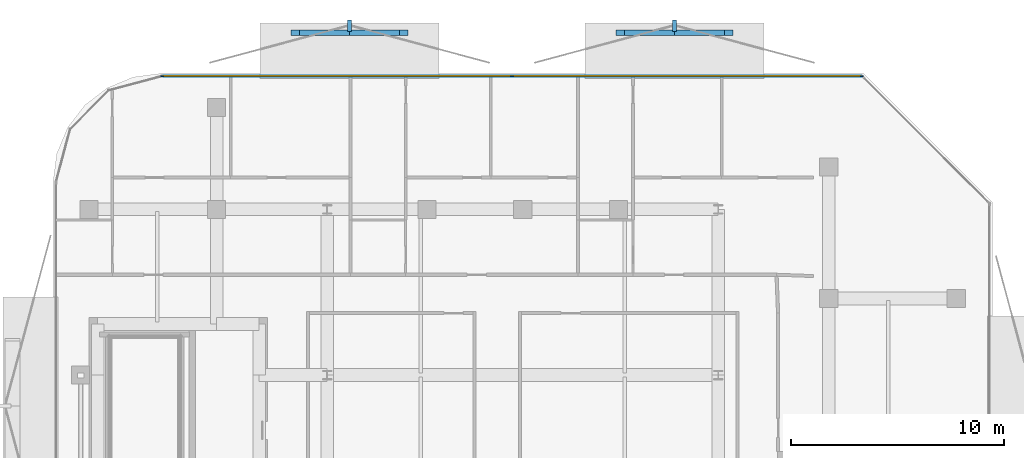
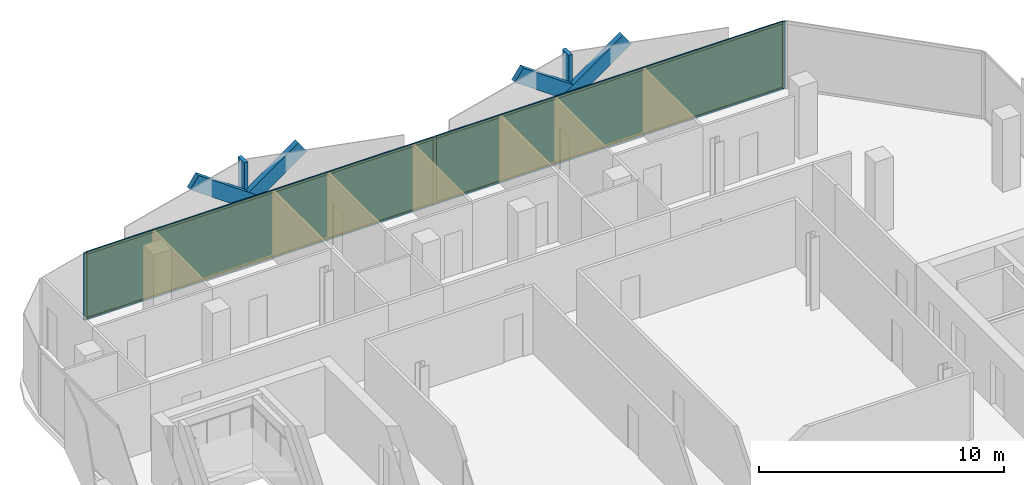
# One storey, part 11 of 16: 13 members, 2 plates, 1 curtain wall.
"""IFC4 building model written with IfcOpenShell, lengths in metres."""

from ifc_helpers import new_model, si_unit, direction, frame, frame_2d, origin, origin_2d, place, context, subcontext, project, spatial, rectangle, extrude, material, layer, layer_set, material_profile, profile_set, type_object, element, aggregate, save


model = new_model("IFC4")

# Units and contexts
model_context = context("Model", 3, precision=1e-05, world=origin(), true_north=direction((0.0, 1.0)))
body_context = subcontext(model_context, "Body", "Model", "MODEL_VIEW")
ifc_project = project(units=[si_unit("LENGTHUNIT", "METRE"), si_unit("AREAUNIT", "SQUARE_METRE"), si_unit("VOLUMEUNIT", "CUBIC_METRE"), si_unit("PLANEANGLEUNIT", "RADIAN"), si_unit("MASSUNIT", "GRAM", prefix="KILO")], contexts=[model_context])

# Member
ifc_material_1 = material(Name="Anodised Bronze Aluminium 6063-T6", Category="aluminium")
ifc_material_profile_1 = material_profile(ifc_material_1, rectangle(XDim=0.260009765625, YDim=0.699951171875, at=origin_2d()))
ifc_profile_set_1 = profile_set([ifc_material_profile_1], Name="Anodised Bronze Aluminium 6063-T6")
member_type_1 = type_object("IfcMemberType", Name="Bronze Diamond Solar-Screen Lattice Rib BDL-700", PredefinedType="MULLION", material=ifc_profile_set_1)
site_placement = place(None, origin())
building_placement = place(site_placement, origin())
storey_placement = place(building_placement, frame((0.0, 0.0, 247.60009765625)))
member_1_placement = place(storey_placement, frame((-10.6953125, 26.89990234375, -0.130126953125), z_axis=(0.816718355951, 0.0, 0.57703650409), x_axis=(0.0, 1.0, 0.0)))
member_1 = element("IfcMember", 1, at=member_1_placement, type_object=member_type_1, Name="L58 Bronze Diamond Solar Screen Lattice Rib 397A", PredefinedType="MULLION", context=body_context, shape_type="SweptSolid", body=[
    extrude(rectangle(XDim=0.260009765625, YDim=0.699951171875, at=origin_2d()), origin(), (0.0, 0.0, 1.0), 6.239013671875),
])

member_2_placement = place(storey_placement, frame((-5.599853515625, 26.89990234375, -0.130126953125), z_axis=(-0.816718355951, 0.0, 0.57703650409), x_axis=(0.0, -1.0, 0.0)))
member_2 = element("IfcMember", 2, at=member_2_placement, type_object=member_type_1, Name="L58 Bronze Diamond Solar Screen Lattice Rib 397B", PredefinedType="MULLION", context=body_context, shape_type="SweptSolid", body=[
    extrude(rectangle(XDim=0.260009765625, YDim=0.699951171875, at=origin_2d()), origin(), (0.0, 0.0, 1.0), 6.239013671875),
])

member_3_placement = place(storey_placement, frame((4.591064453125, 26.89990234375, -0.130126953125), z_axis=(0.816718355951, 0.0, 0.57703650409), x_axis=(0.0, 1.0, 0.0)))
member_3 = element("IfcMember", 3, at=member_3_placement, type_object=member_type_1, Name="L58 Bronze Diamond Solar Screen Lattice Rib 398A", PredefinedType="MULLION", context=body_context, shape_type="SweptSolid", body=[
    extrude(rectangle(XDim=0.260009765625, YDim=0.699951171875, at=origin_2d()), origin(), (0.0, 0.0, 1.0), 6.239013671875),
])

member_4_placement = place(storey_placement, frame((9.6865234375, 26.89990234375, -0.130126953125), z_axis=(-0.816718355951, 0.0, 0.57703650409), x_axis=(0.0, -1.0, 0.0)))
member_4 = element("IfcMember", 4, at=member_4_placement, type_object=member_type_1, Name="L58 Bronze Diamond Solar Screen Lattice Rib 398B", PredefinedType="MULLION", context=body_context, shape_type="SweptSolid", body=[
    extrude(rectangle(XDim=0.260009765625, YDim=0.699951171875, at=origin_2d()), origin(), (0.0, 0.0, 1.0), 6.239013671875),
])

ifc_material_2 = material(Name="Anodised Bronze Aluminium 6063-T6", Category="aluminium")
ifc_material_profile_2 = material_profile(ifc_material_2, rectangle(XDim=0.179931640625, YDim=0.5400390625, at=origin_2d()))
ifc_profile_set_2 = profile_set([ifc_material_profile_2], Name="Anodised Bronze Aluminium 6063-T6")
member_type_2 = type_object("IfcMemberType", Name="Bronze Solar-Screen Vertical Fold Fin BSF-540", PredefinedType="MULLION", material=ifc_profile_set_2)
member_5_placement = place(storey_placement, frame((-8.147705078125, 27.239990234375, -0.130126953125), z_axis=(0.0, 0.0, 1.0), x_axis=(1.0, 0.0, 0.0)))
member_5 = element("IfcMember", 5, at=member_5_placement, type_object=member_type_2, Name="L58 Bronze Solar Screen Vertical Fin 397", PredefinedType="MULLION", context=body_context, shape_type="SweptSolid", body=[
    extrude(rectangle(XDim=0.179931640625, YDim=0.5400390625, at=origin_2d()), origin(), (0.0, 0.0, 1.0), 3.60009765625),
])

member_6_placement = place(storey_placement, frame((7.138916015625, 27.239990234375, -0.130126953125), z_axis=(0.0, 0.0, 1.0), x_axis=(1.0, 0.0, 0.0)))
member_6 = element("IfcMember", 6, at=member_6_placement, type_object=member_type_2, Name="L58 Bronze Solar Screen Vertical Fin 398", PredefinedType="MULLION", context=body_context, shape_type="SweptSolid", body=[
    extrude(rectangle(XDim=0.179931640625, YDim=0.5400390625, at=origin_2d()), origin(), (0.0, 0.0, 1.0), 3.60009765625),
])

ifc_material_3 = material(Name="Anodised Bronze Aluminium 6063-T6", Category="aluminium")
ifc_material_profile_3 = material_profile(ifc_material_3, rectangle(XDim=0.06005859375, YDim=0.159912109375, at=origin_2d()))
ifc_profile_set_3 = profile_set([ifc_material_profile_3], Name="Anodised Bronze Aluminium 6063-T6")
member_type_3 = type_object("IfcMemberType", Name="CW-Z4 Mullion 60x160", PredefinedType="MULLION", material=ifc_profile_set_3)
member_7_placement = place(storey_placement, frame((-16.960693359375, 24.860107421875, 0.0), z_axis=(0.0, 0.0, 1.0), x_axis=(0.0, 1.0, 0.0)))
member_7 = element("IfcMember", 7, at=member_7_placement, type_object=member_type_3, Name="CW-Z4 mullion 1", PredefinedType="MULLION", context=body_context, shape_type="SweptSolid", body=[
    extrude(rectangle(XDim=0.06005859375, YDim=0.159912109375, at=origin_2d()), origin(), (0.0, 0.0, 1.0), 3.33984375),
])

member_8_placement = place(storey_placement, frame((-0.50439453125, 24.860107421875, 0.0), z_axis=(0.0, 0.0, 1.0), x_axis=(0.0, 1.0, 0.0)))
member_8 = element("IfcMember", 8, at=member_8_placement, type_object=member_type_3, Name="CW-Z4 mullion 2", PredefinedType="MULLION", context=body_context, shape_type="SweptSolid", body=[
    extrude(rectangle(XDim=0.06005859375, YDim=0.159912109375, at=origin_2d()), origin(), (0.0, 0.0, 1.0), 3.33984375),
])

member_9_placement = place(storey_placement, frame((15.951904296875, 24.860107421875, 0.0), z_axis=(0.0, 0.0, 1.0), x_axis=(0.0, 1.0, 0.0)))
member_9 = element("IfcMember", 9, at=member_9_placement, type_object=member_type_3, Name="CW-Z4 mullion 3", PredefinedType="MULLION", context=body_context, shape_type="SweptSolid", body=[
    extrude(rectangle(XDim=0.06005859375, YDim=0.159912109375, at=origin_2d()), origin(), (0.0, 0.0, 1.0), 3.33984375),
])

ifc_material_4 = material(Name="Anodised Bronze Aluminium 6063-T6", Category="aluminium")
ifc_material_profile_4 = material_profile(ifc_material_4, rectangle(XDim=0.06005859375, YDim=0.125, at=origin_2d()))
ifc_profile_set_4 = profile_set([ifc_material_profile_4], Name="Anodised Bronze Aluminium 6063-T6")
member_type_4 = type_object("IfcMemberType", Name="CW-Z4 Transom 60x125", PredefinedType="USERDEFINED", material=ifc_profile_set_4)
member_10_placement = place(storey_placement, frame((-16.930908203125, 24.860107421875, 0.02978515625), z_axis=(1.0, 0.0, 0.0), x_axis=(0.0, 1.0, 0.0)))
member_10 = element("IfcMember", 10, at=member_10_placement, type_object=member_type_4, Name="CW-Z4 transom 1.1", ObjectType="TRANSOM", PredefinedType="USERDEFINED", context=body_context, shape_type="SweptSolid", body=[
    extrude(rectangle(XDim=0.06005859375, YDim=0.125, at=origin_2d()), origin(), (0.0, 0.0, 1.0), 16.396484375),
])

member_11_placement = place(storey_placement, frame((-16.930908203125, 24.860107421875, 3.309814453125), z_axis=(1.0, 0.0, 0.0), x_axis=(0.0, 1.0, 0.0)))
member_11 = element("IfcMember", 11, at=member_11_placement, type_object=member_type_4, Name="CW-Z4 transom 1.2", ObjectType="TRANSOM", PredefinedType="USERDEFINED", context=body_context, shape_type="SweptSolid", body=[
    extrude(rectangle(XDim=0.06005859375, YDim=0.125, at=origin_2d()), origin(), (0.0, 0.0, 1.0), 16.396484375),
])

member_12_placement = place(storey_placement, frame((-0.474365234375, 24.860107421875, 0.02978515625), z_axis=(1.0, 0.0, 0.0), x_axis=(0.0, 1.0, 0.0)))
member_12 = element("IfcMember", 12, at=member_12_placement, type_object=member_type_4, Name="CW-Z4 transom 2.1", ObjectType="TRANSOM", PredefinedType="USERDEFINED", context=body_context, shape_type="SweptSolid", body=[
    extrude(rectangle(XDim=0.06005859375, YDim=0.125, at=origin_2d()), origin(), (0.0, 0.0, 1.0), 16.396484375),
])

member_13_placement = place(storey_placement, frame((-0.474365234375, 24.860107421875, 3.309814453125), z_axis=(1.0, 0.0, 0.0), x_axis=(0.0, 1.0, 0.0)))
member_13 = element("IfcMember", 13, at=member_13_placement, type_object=member_type_4, Name="CW-Z4 transom 2.2", ObjectType="TRANSOM", PredefinedType="USERDEFINED", context=body_context, shape_type="SweptSolid", body=[
    extrude(rectangle(XDim=0.06005859375, YDim=0.125, at=origin_2d()), origin(), (0.0, 0.0, 1.0), 16.396484375),
])

# Plate
ifc_material_5 = material(Name="Low-E Solar Control Laminated Glass", Category="glass")
ifc_layer_1 = layer(ifc_material_5, 0.030029296875, Name="Low-E Solar Control Laminated Glass")
ifc_layer_set_1 = layer_set([ifc_layer_1], Name="Low-E Solar Control Laminated Glass")
plate_type = type_object("IfcPlateType", Name="CW-Z4 Low-E Double Glazed Panel 30mm", PredefinedType="CURTAIN_PANEL", material=ifc_layer_set_1)
plate_1_placement = place(storey_placement, frame((-8.732666015625, 24.860107421875, 0.06005859375), z_axis=(0.0, 0.0, 1.0), x_axis=(1.0, 0.0, 0.0)))
plate_1 = element("IfcPlate", 14, at=plate_1_placement, type_object=plate_type, Name="CW-Z4 panel 1.1", PredefinedType="CURTAIN_PANEL", context=body_context, shape_type="SweptSolid", body=[
    extrude(rectangle(XDim=16.396484375, YDim=0.030029296875, at=origin_2d()), origin(), (0.0, 0.0, 1.0), 3.219970703125),
])

plate_2_placement = place(storey_placement, frame((7.723876953125, 24.860107421875, 0.06005859375), z_axis=(0.0, 0.0, 1.0), x_axis=(1.0, 0.0, 0.0)))
plate_2 = element("IfcPlate", 15, at=plate_2_placement, type_object=plate_type, Name="CW-Z4 panel 2.1", PredefinedType="CURTAIN_PANEL", context=body_context, shape_type="SweptSolid", body=[
    extrude(rectangle(XDim=16.396484375, YDim=0.030029296875, at=origin_2d()), origin(), (0.0, 0.0, 1.0), 3.219970703125),
])

# Site, building, storey
site = spatial("IfcSite", under=ifc_project, at=site_placement, CompositionType="ELEMENT")
building = spatial("IfcBuilding", under=site, at=building_placement, Name="Khairoan Windgate Tower", CompositionType="ELEMENT")
storey = spatial("IfcBuildingStorey", under=building, at=storey_placement, Name="L58", CompositionType="ELEMENT", Elevation=247.60009765625)

# Curtain wall
ifc_material_6 = material(Name="Anodised Bronze Aluminium 6063-T6", Category="aluminium")
ifc_layer_2 = layer(ifc_material_6, 0.159912109375, Name="Anodised Bronze Aluminium 6063-T6")
ifc_layer_set_2 = layer_set([ifc_layer_2], Name="Anodised Bronze Aluminium 6063-T6")
curtain_wall_type = type_object("IfcCurtainWallType", Name="Sky Residence Unitised Curtain Wall CW-Z4", PredefinedType="NOTDEFINED", material=ifc_layer_set_2)
curtain_wall_placement = place(storey_placement, frame((-16.99072265625, 24.860107421875, 0.0), z_axis=(0.0, 0.0, 1.0), x_axis=(1.0, 0.0, 0.0)))
curtain_wall = element("IfcCurtainWall", 16, at=curtain_wall_placement, inside=storey, type_object=curtain_wall_type, Name="L58 Unitised Curtain Wall 9", PredefinedType="NOTDEFINED", context=body_context, shape_type="SweptSolid", body=[
    extrude(rectangle(XDim=32.97265625, YDim=0.010009765625, at=frame_2d((16.486328125, 0.0))), origin(), (0.0, 0.0, 1.0), 3.33984375),
])

aggregate(curtain_wall, [member_7, member_8, member_9, member_10, member_11, plate_1, member_12, member_13, plate_2, member_1, member_2, member_5, member_3, member_4, member_6])

save(model, "model.ifc")
